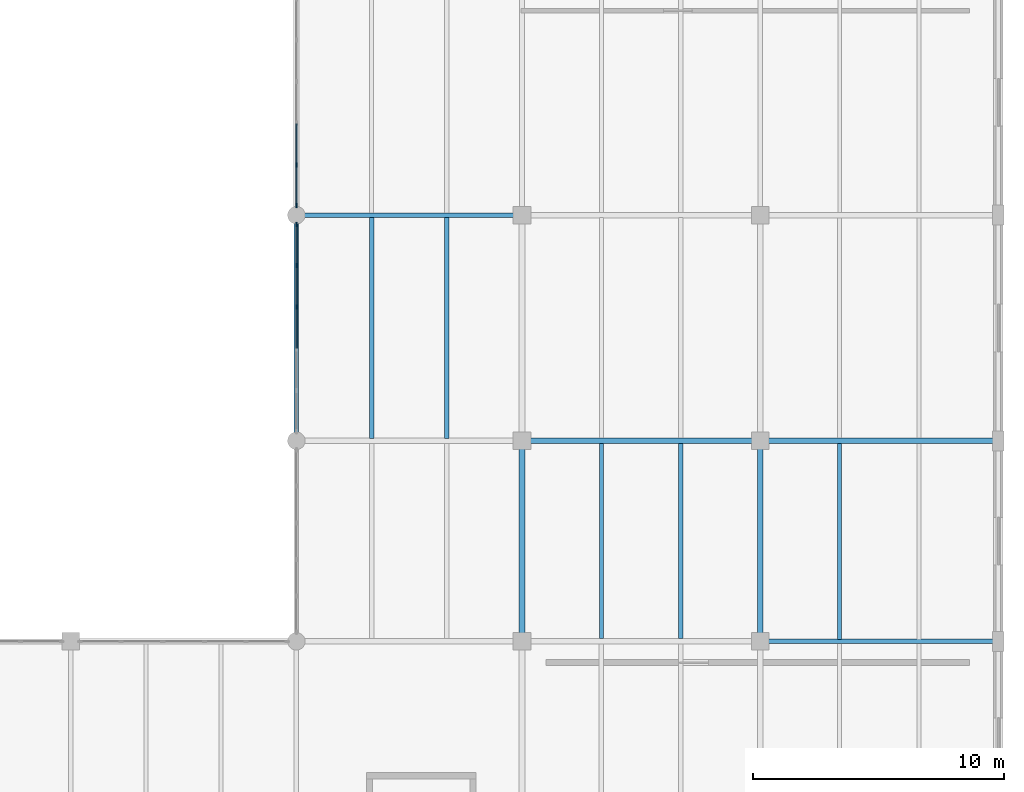
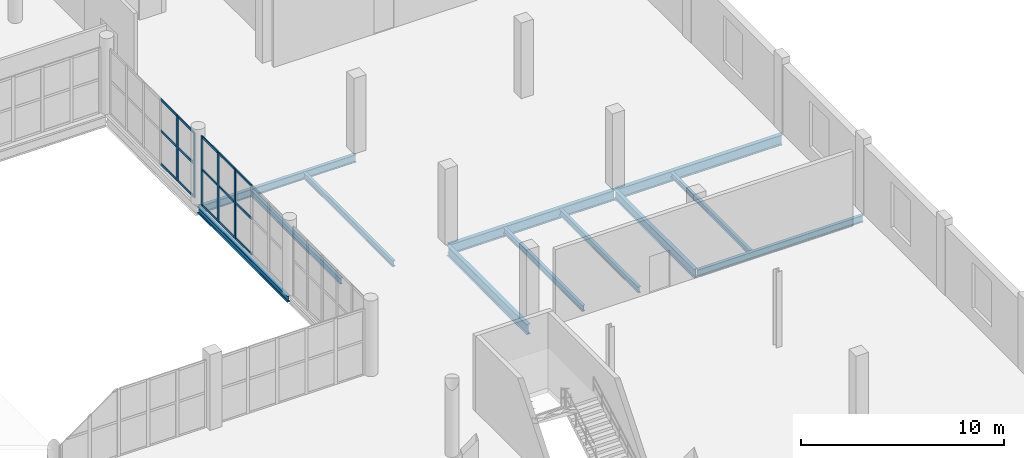
# One storey, part 52 of 93: 20 members, 12 beams, 2 elements without a shape of their own.
"""IFC4 building model written with IfcOpenShell, lengths in metres."""

from ifc_helpers import new_model, si_unit, direction, frame, origin, origin_2d, place, context, subcontext, project, spatial, rectangle, i_section, extrude, material, layer, layer_set, material_profile, profile_set, type_object, element, aggregate, save


model = new_model("IFC4")

# Units and contexts
model_context = context("Model", 3, precision=1e-05, world=origin(), true_north=direction((0.0, 1.0)))
body_context = subcontext(model_context, "Body", "Model", "MODEL_VIEW")
ifc_project = project(units=[si_unit("LENGTHUNIT", "METRE"), si_unit("AREAUNIT", "SQUARE_METRE"), si_unit("VOLUMEUNIT", "CUBIC_METRE"), si_unit("PLANEANGLEUNIT", "RADIAN"), si_unit("MASSUNIT", "GRAM", prefix="KILO")], contexts=[model_context])

# Site, building, storey
site_placement = place(None, origin())
site = spatial("IfcSite", under=ifc_project, at=site_placement, CompositionType="ELEMENT")
building_placement = place(site_placement, origin())
building = spatial("IfcBuilding", under=site, at=building_placement, Name="Marnock Terrace Opera House", CompositionType="ELEMENT")
storey_placement = place(building_placement, frame((0.0, 0.0, 5.39990234375)))
storey = spatial("IfcBuildingStorey", under=building, at=storey_placement, Name="L01", CompositionType="ELEMENT", Elevation=5.39990234375)

# Beams
ifc_material_1 = material(Name="Steel Grade 350 (AS/NZS 3679.1)", Category="steel")
ifc_material_profile_1 = material_profile(ifc_material_1, i_section(OverallWidth=0.1708984375, OverallDepth=0.355712890625, WebThickness=0.00732421875, FlangeThickness=0.011474609375, FilletRadius=0.011474609375, at=origin_2d()))
ifc_profile_set_1 = profile_set([ifc_material_profile_1], Name="Steel Grade 350 (AS/NZS 3679.1)")
beam_type_1 = type_object("IfcBeamType", Name="BM-GIRD-360", PredefinedType="BEAM", material=ifc_profile_set_1)
beam_1_placement = place(storey_placement, frame((136.0, 48.050048828125, -0.457763671875), z_axis=(0.0, 1.0, 0.0), x_axis=(-1.0, 0.0, 0.0)))
element("IfcBeam", 1, at=beam_1_placement, inside=storey, type_object=beam_type_1, Name="L01 girder (X=136.0, 48.0..57.0)", PredefinedType="BEAM", context=body_context, shape_type="SweptSolid", body=[
    extrude(i_section(OverallWidth=0.1708984375, OverallDepth=0.355712890625, WebThickness=0.00732421875, FlangeThickness=0.011474609375, FilletRadius=0.011474609375, at=origin_2d()), origin(), (0.0, 0.0, 1.0), 8.89990234375),
])
ifc_material_profile_2 = material_profile(ifc_material_1, i_section(OverallWidth=0.177978515625, OverallDepth=0.402587890625, WebThickness=0.007568359375, FlangeThickness=0.010986328125, FilletRadius=0.011474609375, at=origin_2d()))
ifc_profile_set_2 = profile_set([ifc_material_profile_2], Name="Steel Grade 350 (AS/NZS 3679.1)")
beam_type_2 = type_object("IfcBeamType", Name="BM-GIRD-410", PredefinedType="BEAM", material=ifc_profile_set_2)
beam_2_placement = place(storey_placement, frame((154.550048828125, 40.0, -0.481201171875), z_axis=(1.0, 0.0, 0.0), x_axis=(0.0, 1.0, 0.0)))
element("IfcBeam", 2, at=beam_2_placement, inside=storey, type_object=beam_type_2, Name="L01 girder (154.5..164.0, Y=40.0)", PredefinedType="BEAM", context=body_context, shape_type="SweptSolid", body=[
    extrude(i_section(OverallWidth=0.177978515625, OverallDepth=0.402587890625, WebThickness=0.007568359375, FlangeThickness=0.010986328125, FilletRadius=0.011474609375, at=origin_2d()), origin(), (0.0, 0.0, 1.0), 9.39990234375),
])
ifc_material_profile_3 = material_profile(ifc_material_1, i_section(OverallWidth=0.19091796875, OverallDepth=0.46044921875, WebThickness=0.010009765625, FlangeThickness=0.01611328125, FilletRadius=0.011474609375, at=origin_2d()))
ifc_profile_set_3 = profile_set([ifc_material_profile_3], Name="Steel Grade 350 (AS/NZS 3679.1)")
beam_type_3 = type_object("IfcBeamType", Name="BM-GIRD-460A", PredefinedType="BEAM", material=ifc_profile_set_3)
beam_3_placement = place(storey_placement, frame((136.050048828125, 57.0, -0.510009765625), z_axis=(1.0, 0.0, 0.0), x_axis=(0.0, 1.0, 0.0)))
element("IfcBeam", 3, at=beam_3_placement, inside=storey, type_object=beam_type_3, Name="L01 girder (136.0..145.0, Y=57.0)", PredefinedType="BEAM", context=body_context, shape_type="SweptSolid", body=[
    extrude(i_section(OverallWidth=0.19091796875, OverallDepth=0.46044921875, WebThickness=0.010009765625, FlangeThickness=0.01611328125, FilletRadius=0.011474609375, at=origin_2d()), origin(), (0.0, 0.0, 1.0), 8.89990234375),
])
ifc_material_profile_4 = material_profile(ifc_material_1, i_section(OverallWidth=0.208984375, OverallDepth=0.528076171875, WebThickness=0.009521484375, FlangeThickness=0.01318359375, FilletRadius=0.013916015625, at=origin_2d()))
ifc_profile_set_4 = profile_set([ifc_material_profile_4], Name="Steel Grade 350 (AS/NZS 3679.1)")
beam_type_4 = type_object("IfcBeamType", Name="BM-GIRD-530B", PredefinedType="BEAM", material=ifc_profile_set_4)
beam_4_placement = place(storey_placement, frame((154.5, 40.050048828125, -0.5439453125), z_axis=(0.0, 1.0, 0.0), x_axis=(-1.0, 0.0, 0.0)))
element("IfcBeam", 4, at=beam_4_placement, inside=storey, type_object=beam_type_4, Name="L01 girder (X=154.5, 40.0..48.0)", PredefinedType="BEAM", context=body_context, shape_type="SweptSolid", body=[
    extrude(i_section(OverallWidth=0.208984375, OverallDepth=0.528076171875, WebThickness=0.009521484375, FlangeThickness=0.01318359375, FilletRadius=0.013916015625, at=origin_2d()), origin(), (0.0, 0.0, 1.0), 7.89990234375),
])
ifc_material_profile_5 = material_profile(ifc_material_1, i_section(OverallWidth=0.22900390625, OverallDepth=0.611572265625, WebThickness=0.011962890625, FlangeThickness=0.01953125, FilletRadius=0.013916015625, at=origin_2d()))
ifc_profile_set_5 = profile_set([ifc_material_profile_5], Name="Steel Grade 350 (AS/NZS 3679.1)")
beam_type_5 = type_object("IfcBeamType", Name="BM-GIRD-610A", PredefinedType="BEAM", material=ifc_profile_set_5)
beam_5_placement = place(storey_placement, frame((154.550048828125, 48.0, -0.585693359375), z_axis=(1.0, 0.0, 0.0), x_axis=(0.0, 1.0, 0.0)))
element("IfcBeam", 5, at=beam_5_placement, inside=storey, type_object=beam_type_5, Name="L01 girder (154.5..164.0, Y=48.0)", PredefinedType="BEAM", context=body_context, shape_type="SweptSolid", body=[
    extrude(i_section(OverallWidth=0.22900390625, OverallDepth=0.611572265625, WebThickness=0.011962890625, FlangeThickness=0.01953125, FilletRadius=0.013916015625, at=origin_2d()), origin(), (0.0, 0.0, 1.0), 9.39990234375),
])
ifc_material_profile_6 = material_profile(ifc_material_1, i_section(OverallWidth=0.22802734375, OverallDepth=0.60693359375, WebThickness=0.01123046875, FlangeThickness=0.017333984375, FilletRadius=0.013916015625, at=origin_2d()))
ifc_profile_set_6 = profile_set([ifc_material_profile_6], Name="Steel Grade 350 (AS/NZS 3679.1)")
beam_type_6 = type_object("IfcBeamType", Name="BM-GIRD-610B", PredefinedType="BEAM", material=ifc_profile_set_6)
beam_6_placement = place(storey_placement, frame((145.050048828125, 48.0, -0.58349609375), z_axis=(1.0, 0.0, 0.0), x_axis=(0.0, 1.0, 0.0)))
element("IfcBeam", 6, at=beam_6_placement, inside=storey, type_object=beam_type_6, Name="L01 girder (145.0..154.5, Y=48.0)", PredefinedType="BEAM", context=body_context, shape_type="SweptSolid", body=[
    extrude(i_section(OverallWidth=0.22802734375, OverallDepth=0.60693359375, WebThickness=0.01123046875, FlangeThickness=0.017333984375, FilletRadius=0.013916015625, at=origin_2d()), origin(), (0.0, 0.0, 1.0), 9.39990234375),
])
ifc_material_profile_7 = material_profile(ifc_material_1, i_section(OverallWidth=0.22802734375, OverallDepth=0.60205078125, WebThickness=0.010498046875, FlangeThickness=0.014892578125, FilletRadius=0.013916015625, at=origin_2d()))
ifc_profile_set_7 = profile_set([ifc_material_profile_7], Name="Steel Grade 350 (AS/NZS 3679.1)")
beam_type_7 = type_object("IfcBeamType", Name="BM-GIRD-610C", PredefinedType="BEAM", material=ifc_profile_set_7)
beam_7_placement = place(storey_placement, frame((145.0, 40.050048828125, -0.580810546875), z_axis=(0.0, 1.0, 0.0), x_axis=(-1.0, 0.0, 0.0)))
element("IfcBeam", 7, at=beam_7_placement, inside=storey, type_object=beam_type_7, Name="L01 girder (X=145.0, 40.0..48.0)", PredefinedType="BEAM", context=body_context, shape_type="SweptSolid", body=[
    extrude(i_section(OverallWidth=0.22802734375, OverallDepth=0.60205078125, WebThickness=0.010498046875, FlangeThickness=0.014892578125, FilletRadius=0.013916015625, at=origin_2d()), origin(), (0.0, 0.0, 1.0), 7.89990234375),
])
ifc_material_profile_8 = material_profile(ifc_material_1, i_section(OverallWidth=0.166015625, OverallDepth=0.30712890625, WebThickness=0.006591796875, FlangeThickness=0.01171875, FilletRadius=0.011474609375, at=origin_2d()))
ifc_profile_set_8 = profile_set([ifc_material_profile_8], Name="Steel Grade 350 (AS/NZS 3679.1)")
beam_type_8 = type_object("IfcBeamType", Name="BM-JOIST-310A", PredefinedType="JOIST", material=ifc_profile_set_8)
beam_8_placement = place(storey_placement, frame((157.666748046875, 40.083984375, -0.43359375), z_axis=(0.0, 1.0, 0.0), x_axis=(-1.0, 0.0, 0.0)))
element("IfcBeam", 8, at=beam_8_placement, inside=storey, type_object=beam_type_8, Name="L01 secondary joist 17.5.1", PredefinedType="JOIST", context=body_context, shape_type="SweptSolid", body=[
    extrude(i_section(OverallWidth=0.166015625, OverallDepth=0.30712890625, WebThickness=0.006591796875, FlangeThickness=0.01171875, FilletRadius=0.011474609375, at=origin_2d()), origin(), (0.0, 0.0, 1.0), 7.806396484375),
])
ifc_material_profile_9 = material_profile(ifc_material_1, i_section(OverallWidth=0.172119140625, OverallDepth=0.358642578125, WebThickness=0.008056640625, FlangeThickness=0.012939453125, FilletRadius=0.011474609375, at=origin_2d()))
ifc_profile_set_9 = profile_set([ifc_material_profile_9], Name="Steel Grade 350 (AS/NZS 3679.1)")
beam_type_9 = type_object("IfcBeamType", Name="BM-JOIST-360", PredefinedType="JOIST", material=ifc_profile_set_9)
for number, where, z_axis, x_axis, name in (
    (9, (139.0, 48.099609375, -0.459228515625), (0.0, 1.0, 0.0), (-1.0, 0.0, 0.0), "L01 secondary joist 15.6.1"),
    (10, (142.0, 48.099609375, -0.459228515625), (0.0, 1.0, 0.0), (-1.0, 0.0, 0.0), "L01 secondary joist 15.6.2"),
):
    element("IfcBeam", number, at=place(storey_placement, frame(where, z_axis=z_axis, x_axis=x_axis)), inside=storey, type_object=beam_type_9, Name=name, PredefinedType="JOIST", context=body_context, shape_type="SweptSolid", body=[
        extrude(i_section(OverallWidth=0.172119140625, OverallDepth=0.358642578125, WebThickness=0.008056640625, FlangeThickness=0.012939453125, FilletRadius=0.011474609375, at=origin_2d()), origin(), (0.0, 0.0, 1.0), 8.809814453125),
    ])
for number, where, z_axis, x_axis, name in (
    (11, (148.166748046875, 40.109619140625, -0.459228515625), (0.0, 1.0, 0.0), (-1.0, 0.0, 0.0), "L01 secondary joist 16.5.1"),
    (12, (151.333251953125, 40.109619140625, -0.459228515625), (0.0, 1.0, 0.0), (-1.0, 0.0, 0.0), "L01 secondary joist 16.5.2"),
):
    element("IfcBeam", number, at=place(storey_placement, frame(where, z_axis=z_axis, x_axis=x_axis)), inside=storey, type_object=beam_type_9, Name=name, PredefinedType="JOIST", context=body_context, shape_type="SweptSolid", body=[
        extrude(i_section(OverallWidth=0.172119140625, OverallDepth=0.358642578125, WebThickness=0.008056640625, FlangeThickness=0.012939453125, FilletRadius=0.011474609375, at=origin_2d()), origin(), (0.0, 0.0, 1.0), 7.781494140625),
    ])

# Curtain wall, members
ifc_material_2 = material(Name="Anodised architectural bronze aluminium framing", Category="aluminium")
ifc_layer = layer(ifc_material_2, 0.159912109375)
ifc_layer_set = layer_set([ifc_layer], Name="Anodised architectural bronze aluminium framing")
curtain_wall_type = type_object("IfcCurtainWallType", Name="CW-LOGGIA-86x45", PredefinedType="NOTDEFINED", material=ifc_layer_set)
curtain_wall_1_placement = place(storey_placement, origin())
curtain_wall_1 = element("IfcCurtainWall", 13, at=curtain_wall_1_placement, inside=storey, type_object=curtain_wall_type, Name="L01 glazed Beaux-Arts colonnade curtain wall CW-V5-L01-CE2", PredefinedType="NOTDEFINED")
ifc_material_profile_10 = material_profile(ifc_material_2, rectangle(XDim=0.06494140625, YDim=0.179931640625, at=origin_2d()))
ifc_profile_set_10 = profile_set([ifc_material_profile_10], Name="Anodised architectural bronze aluminium framing")
member_type_1 = type_object("IfcMemberType", Name="CWM-65x180", PredefinedType="MULLION", material=ifc_profile_set_10)
member_1_placement = place(storey_placement, frame((136.0, 53.330810546875, 0.0), z_axis=(0.0, 0.0, 1.0), x_axis=(-1.0, 0.0, 0.0)))
member_1 = element("IfcMember", 14, at=member_1_placement, type_object=member_type_1, Name="CW-61 mullion 4", PredefinedType="MULLION", context=body_context, shape_type="SweptSolid", body=[
    extrude(rectangle(XDim=0.06494140625, YDim=0.179931640625, at=origin_2d()), origin(), (0.0, 0.0, 1.0), 4.154541015625),
])
member_2_placement = place(storey_placement, frame((136.0, 54.992431640625, 0.0), z_axis=(0.0, 0.0, 1.0), x_axis=(-1.0, 0.0, 0.0)))
member_2 = element("IfcMember", 15, at=member_2_placement, type_object=member_type_1, Name="CW-61 mullion 5", PredefinedType="MULLION", context=body_context, shape_type="SweptSolid", body=[
    extrude(rectangle(XDim=0.06494140625, YDim=0.179931640625, at=origin_2d()), origin(), (0.0, 0.0, 1.0), 4.154541015625),
])
member_3_placement = place(storey_placement, frame((136.0, 56.6240234375, 0.0), z_axis=(0.0, 0.0, 1.0), x_axis=(-1.0, 0.0, 0.0)))
member_3 = element("IfcMember", 16, at=member_3_placement, type_object=member_type_1, Name="CW-61 mullion 6", PredefinedType="MULLION", context=body_context, shape_type="SweptSolid", body=[
    extrude(rectangle(XDim=0.06494140625, YDim=0.179931640625, at=origin_2d()), origin(), (0.0, 0.0, 1.0), 4.154541015625),
])

curtain_wall_2_placement = place(storey_placement, origin())
curtain_wall_2 = element("IfcCurtainWall", 17, at=curtain_wall_2_placement, inside=storey, type_object=curtain_wall_type, Name="L01 glazed Beaux-Arts colonnade curtain wall CW-V5-L01-CE3", PredefinedType="NOTDEFINED")
member_4_placement = place(storey_placement, frame((136.0, 57.3759765625, 0.0), z_axis=(0.0, 0.0, 1.0), x_axis=(-1.0, 0.0, 0.0)))
member_4 = element("IfcMember", 18, at=member_4_placement, type_object=member_type_1, Name="CW-61 mullion 1", PredefinedType="MULLION", context=body_context, shape_type="SweptSolid", body=[
    extrude(rectangle(XDim=0.06494140625, YDim=0.179931640625, at=origin_2d()), origin(), (0.0, 0.0, 1.0), 3.908203125),
])
member_5_placement = place(storey_placement, frame((136.0, 59.007568359375, 0.0), z_axis=(0.0, 0.0, 1.0), x_axis=(-1.0, 0.0, 0.0)))
member_5 = element("IfcMember", 19, at=member_5_placement, type_object=member_type_1, Name="CW-61 mullion 2", PredefinedType="MULLION", context=body_context, shape_type="SweptSolid", body=[
    extrude(rectangle(XDim=0.06494140625, YDim=0.179931640625, at=origin_2d()), origin(), (0.0, 0.0, 1.0), 3.908203125),
])

# Member
ifc_material_profile_11 = material_profile(ifc_material_2, rectangle(XDim=0.06005859375, YDim=0.1298828125, at=origin_2d()))
ifc_profile_set_11 = profile_set([ifc_material_profile_11], Name="Anodised architectural bronze aluminium framing")
member_type_2 = type_object("IfcMemberType", Name="CWT-60x130", PredefinedType="USERDEFINED", material=ifc_profile_set_11)
member_6_placement = place(storey_placement, frame((136.0, 51.69921875, 0.030029296875), z_axis=(0.0, 1.0, 0.0), x_axis=(-1.0, 0.0, 0.0)))
member_6 = element("IfcMember", 20, at=member_6_placement, type_object=member_type_2, Name="CW-61 transom 3.1", ObjectType="TRANSOM", PredefinedType="USERDEFINED", context=body_context, shape_type="SweptSolid", body=[
    extrude(rectangle(XDim=0.06005859375, YDim=0.1298828125, at=origin_2d()), origin(), (0.0, 0.0, 1.0), 1.6015625),
])

member_7_placement = place(storey_placement, frame((136.0, 51.69921875, 2.160400390625), z_axis=(0.0, 1.0, 0.0), x_axis=(-1.0, 0.0, 0.0)))
member_7 = element("IfcMember", 21, at=member_7_placement, type_object=member_type_2, Name="CW-61 transom 3.2", ObjectType="TRANSOM", PredefinedType="USERDEFINED", context=body_context, shape_type="SweptSolid", body=[
    extrude(rectangle(XDim=0.06005859375, YDim=0.1298828125, at=origin_2d()), origin(), (0.0, 0.0, 1.0), 1.6015625),
])

member_8_placement = place(storey_placement, frame((136.0, 51.69921875, 4.12451171875), z_axis=(0.0, 1.0, 0.0), x_axis=(-1.0, 0.0, 0.0)))
member_8 = element("IfcMember", 22, at=member_8_placement, type_object=member_type_2, Name="CW-61 transom 3.3", ObjectType="TRANSOM", PredefinedType="USERDEFINED", context=body_context, shape_type="SweptSolid", body=[
    extrude(rectangle(XDim=0.06005859375, YDim=0.1298828125, at=origin_2d()), origin(), (0.0, 0.0, 1.0), 1.6015625),
])

member_9_placement = place(storey_placement, frame((136.0, 53.36083984375, 0.030029296875), z_axis=(0.0, 1.0, 0.0), x_axis=(-1.0, 0.0, 0.0)))
member_9 = element("IfcMember", 23, at=member_9_placement, type_object=member_type_2, Name="CW-61 transom 4.1", ObjectType="TRANSOM", PredefinedType="USERDEFINED", context=body_context, shape_type="SweptSolid", body=[
    extrude(rectangle(XDim=0.06005859375, YDim=0.1298828125, at=origin_2d()), origin(), (0.0, 0.0, 1.0), 1.6015625),
])

member_10_placement = place(storey_placement, frame((136.0, 53.36083984375, 2.160400390625), z_axis=(0.0, 1.0, 0.0), x_axis=(-1.0, 0.0, 0.0)))
member_10 = element("IfcMember", 24, at=member_10_placement, type_object=member_type_2, Name="CW-61 transom 4.2", ObjectType="TRANSOM", PredefinedType="USERDEFINED", context=body_context, shape_type="SweptSolid", body=[
    extrude(rectangle(XDim=0.06005859375, YDim=0.1298828125, at=origin_2d()), origin(), (0.0, 0.0, 1.0), 1.6015625),
])

member_11_placement = place(storey_placement, frame((136.0, 53.36083984375, 4.12451171875), z_axis=(0.0, 1.0, 0.0), x_axis=(-1.0, 0.0, 0.0)))
member_11 = element("IfcMember", 25, at=member_11_placement, type_object=member_type_2, Name="CW-61 transom 4.3", ObjectType="TRANSOM", PredefinedType="USERDEFINED", context=body_context, shape_type="SweptSolid", body=[
    extrude(rectangle(XDim=0.06005859375, YDim=0.1298828125, at=origin_2d()), origin(), (0.0, 0.0, 1.0), 1.6015625),
])

member_12_placement = place(storey_placement, frame((136.0, 55.0224609375, 0.030029296875), z_axis=(0.0, 1.0, 0.0), x_axis=(-1.0, 0.0, 0.0)))
member_12 = element("IfcMember", 26, at=member_12_placement, type_object=member_type_2, Name="CW-61 transom 5.1", ObjectType="TRANSOM", PredefinedType="USERDEFINED", context=body_context, shape_type="SweptSolid", body=[
    extrude(rectangle(XDim=0.06005859375, YDim=0.1298828125, at=origin_2d()), origin(), (0.0, 0.0, 1.0), 1.571533203125),
])

member_13_placement = place(storey_placement, frame((136.0, 55.0224609375, 2.160400390625), z_axis=(0.0, 1.0, 0.0), x_axis=(-1.0, 0.0, 0.0)))
member_13 = element("IfcMember", 27, at=member_13_placement, type_object=member_type_2, Name="CW-61 transom 5.2", ObjectType="TRANSOM", PredefinedType="USERDEFINED", context=body_context, shape_type="SweptSolid", body=[
    extrude(rectangle(XDim=0.06005859375, YDim=0.1298828125, at=origin_2d()), origin(), (0.0, 0.0, 1.0), 1.571533203125),
])

member_14_placement = place(storey_placement, frame((136.0, 55.0224609375, 4.12451171875), z_axis=(0.0, 1.0, 0.0), x_axis=(-1.0, 0.0, 0.0)))
member_14 = element("IfcMember", 28, at=member_14_placement, type_object=member_type_2, Name="CW-61 transom 5.3", ObjectType="TRANSOM", PredefinedType="USERDEFINED", context=body_context, shape_type="SweptSolid", body=[
    extrude(rectangle(XDim=0.06005859375, YDim=0.1298828125, at=origin_2d()), origin(), (0.0, 0.0, 1.0), 1.571533203125),
])

aggregate(curtain_wall_1, [member_1, member_2, member_3, member_6, member_7, member_8, member_9, member_10, member_11, member_12, member_13, member_14])

member_15_placement = place(storey_placement, frame((136.0, 57.406005859375, 0.030029296875), z_axis=(0.0, 1.0, 0.0), x_axis=(-1.0, 0.0, 0.0)))
member_15 = element("IfcMember", 29, at=member_15_placement, type_object=member_type_2, Name="CW-61 transom 1.1", ObjectType="TRANSOM", PredefinedType="USERDEFINED", context=body_context, shape_type="SweptSolid", body=[
    extrude(rectangle(XDim=0.06005859375, YDim=0.1298828125, at=origin_2d()), origin(), (0.0, 0.0, 1.0), 1.571533203125),
])

member_16_placement = place(storey_placement, frame((136.0, 57.406005859375, 2.0322265625), z_axis=(0.0, 1.0, 0.0), x_axis=(-1.0, 0.0, 0.0)))
member_16 = element("IfcMember", 30, at=member_16_placement, type_object=member_type_2, Name="CW-61 transom 1.2", ObjectType="TRANSOM", PredefinedType="USERDEFINED", context=body_context, shape_type="SweptSolid", body=[
    extrude(rectangle(XDim=0.06005859375, YDim=0.1298828125, at=origin_2d()), origin(), (0.0, 0.0, 1.0), 1.571533203125),
])

member_17_placement = place(storey_placement, frame((136.0, 57.406005859375, 3.878173828125), z_axis=(0.0, 1.0, 0.0), x_axis=(-1.0, 0.0, 0.0)))
member_17 = element("IfcMember", 31, at=member_17_placement, type_object=member_type_2, Name="CW-61 transom 1.3", ObjectType="TRANSOM", PredefinedType="USERDEFINED", context=body_context, shape_type="SweptSolid", body=[
    extrude(rectangle(XDim=0.06005859375, YDim=0.1298828125, at=origin_2d()), origin(), (0.0, 0.0, 1.0), 1.571533203125),
])

member_18_placement = place(storey_placement, frame((136.0, 59.03759765625, 0.030029296875), z_axis=(0.0, 1.0, 0.0), x_axis=(-1.0, 0.0, 0.0)))
member_18 = element("IfcMember", 32, at=member_18_placement, type_object=member_type_2, Name="CW-61 transom 2.1", ObjectType="TRANSOM", PredefinedType="USERDEFINED", context=body_context, shape_type="SweptSolid", body=[
    extrude(rectangle(XDim=0.06005859375, YDim=0.1298828125, at=origin_2d()), origin(), (0.0, 0.0, 1.0), 1.6015625),
])

member_19_placement = place(storey_placement, frame((136.0, 59.03759765625, 2.0322265625), z_axis=(0.0, 1.0, 0.0), x_axis=(-1.0, 0.0, 0.0)))
member_19 = element("IfcMember", 33, at=member_19_placement, type_object=member_type_2, Name="CW-61 transom 2.2", ObjectType="TRANSOM", PredefinedType="USERDEFINED", context=body_context, shape_type="SweptSolid", body=[
    extrude(rectangle(XDim=0.06005859375, YDim=0.1298828125, at=origin_2d()), origin(), (0.0, 0.0, 1.0), 1.6015625),
])

member_20_placement = place(storey_placement, frame((136.0, 59.03759765625, 3.878173828125), z_axis=(0.0, 1.0, 0.0), x_axis=(-1.0, 0.0, 0.0)))
member_20 = element("IfcMember", 34, at=member_20_placement, type_object=member_type_2, Name="CW-61 transom 2.3", ObjectType="TRANSOM", PredefinedType="USERDEFINED", context=body_context, shape_type="SweptSolid", body=[
    extrude(rectangle(XDim=0.06005859375, YDim=0.1298828125, at=origin_2d()), origin(), (0.0, 0.0, 1.0), 1.6015625),
])

aggregate(curtain_wall_2, [member_4, member_5, member_15, member_16, member_17, member_18, member_19, member_20])

save(model, "model.ifc")
